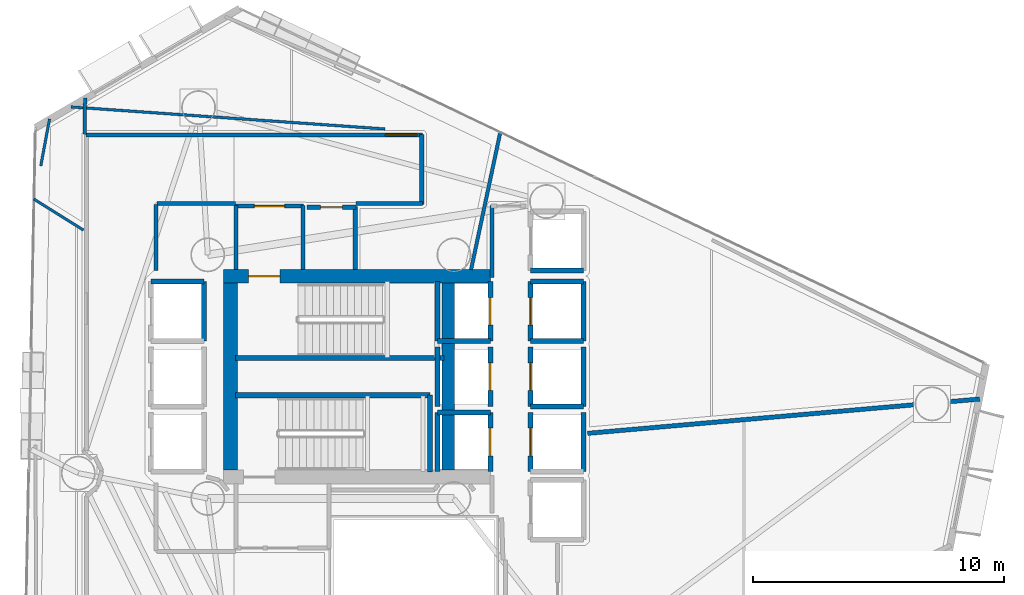
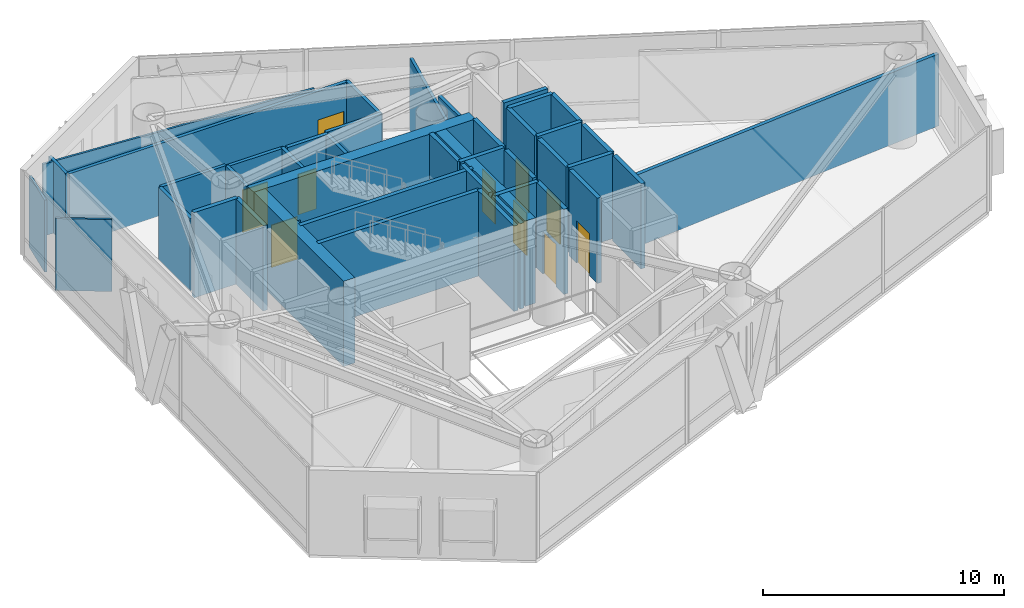
# One storey, part 17 of 21: 43 walls, 10 doors, 10 openings.
"""IFC4 building model written with IfcOpenShell, lengths in metres."""

from ifc_helpers import new_model, si_unit, direction, frame, frame_2d, origin, place, context, subcontext, project, spatial, rectangle, extrude, material, layer, layer_set, type_object, element, fill, save


model = new_model("IFC4")

# Units and contexts
model_context = context("Model", 3, precision=1e-05, world=origin(), true_north=direction((0.0, 1.0)))
body_context = subcontext(model_context, "Body", "Model", "MODEL_VIEW")
ifc_project = project(units=[si_unit("LENGTHUNIT", "METRE"), si_unit("AREAUNIT", "SQUARE_METRE"), si_unit("VOLUMEUNIT", "CUBIC_METRE"), si_unit("PLANEANGLEUNIT", "RADIAN"), si_unit("MASSUNIT", "GRAM", prefix="KILO")], contexts=[model_context])

# Site, building, storey
site_placement = place(None, origin())
site = spatial("IfcSite", under=ifc_project, at=site_placement, CompositionType="ELEMENT")
building_placement = place(site_placement, origin())
building = spatial("IfcBuilding", under=site, at=building_placement, Name="Qianvela Tower", CompositionType="ELEMENT")
storey_placement = place(building_placement, frame((0.0, 0.0, 143.10009765625)))
storey = spatial("IfcBuildingStorey", under=building, at=storey_placement, Name="L36", CompositionType="ELEMENT", Elevation=143.10009765625)

# Wall, opening, door
ifc_material_1 = material(Name="Concrete C60", Category="concrete")
ifc_layer_1 = layer(ifc_material_1, 0.550048828125)
ifc_layer_set_1 = layer_set([ifc_layer_1], Name="Concrete C60")
wall_type_1 = type_object("IfcWallType", Name="WT-CORE-550", PredefinedType="SHEAR", material=ifc_layer_set_1)
wall_1_placement = place(storey_placement, frame((29.22998046875, 32.695068359375, 0.0), z_axis=(0.0, 0.0, 1.0), x_axis=(1.0, 0.0, 0.0)))
wall_1 = element("IfcWall", 1, at=wall_1_placement, inside=storey, type_object=wall_type_1, Name="L36 North Core Shear Wall", PredefinedType="SHEAR", context=body_context, shape_type="SweptSolid", body=[
    extrude(rectangle(XDim=10.6201171875, YDim=0.550048828125, at=frame_2d((5.31005859375, 0.0))), origin(), (0.0, 0.0, 1.0), 4.31982421875),
])
opening_1_placement = place(wall_1_placement, frame((0.9951171875, 0.0, 0.0)))
opening_1 = element("IfcOpeningElement", 2, at=opening_1_placement, cuts=wall_1, Name="Opening D-ST1", PredefinedType="OPENING", context=body_context, shape_type="SweptSolid", body=[
    extrude(rectangle(XDim=1.25, YDim=2.14990234375, at=frame_2d((0.625, 1.074951171875))), frame((0.0, 0.284912109375, 0.0), z_axis=(0.0, -1.0, 0.0), x_axis=(1.0, 0.0, 0.0)), (0.0, 0.0, 1.0), 0.570068359375),
])
ifc_material_2 = material(Name="Galvanised Fire Steel Q355B", Category="steel")
door_type_1 = type_object("IfcDoorType", Name="DT-STAIR-FD90", OperationType="NOTDEFINED", PredefinedType="DOOR", material=ifc_material_2)
door_1_placement = place(opening_1_placement, origin())
door_1 = element("IfcDoor", 3, at=door_1_placement, inside=storey, type_object=door_type_1, Name="L36 Stair ST-1 Exit Door", OperationType="SINGLE_SWING_RIGHT", OverallHeight=2.14990234375, OverallWidth=1.25, PredefinedType="DOOR", context=body_context, shape_type="SweptSolid", body=[
    extrude(rectangle(XDim=1.25, YDim=2.14990234375, at=frame_2d((0.625, 1.074951171875))), frame((0.0, 0.02490234375, 0.0), z_axis=(0.0, -1.0, 0.0), x_axis=(1.0, 0.0, 0.0)), (0.0, 0.0, 1.0), 0.050048828125),
])
fill(opening_1, door_1)

# Walls
wall_2_placement = place(storey_placement, frame((29.5048828125, 24.97998046875, 0.0), z_axis=(0.0, 0.0, 1.0), x_axis=(0.0, 1.0, 0.0)))
element("IfcWall", 4, at=wall_2_placement, inside=storey, type_object=wall_type_1, Name="L36 West Core Shear Wall", PredefinedType="SHEAR", context=body_context, shape_type="SweptSolid", body=[
    extrude(rectangle(XDim=7.43994140625, YDim=0.550048828125, at=frame_2d((3.719970703125, 0.0))), origin(), (0.0, 0.0, 1.0), 4.31982421875),
])
wall_3_placement = place(storey_placement, frame((38.179931640625, 24.97998046875, 0.0), z_axis=(0.0, 0.0, 1.0), x_axis=(0.0, 1.0, 0.0)))
element("IfcWall", 5, at=wall_3_placement, inside=storey, type_object=wall_type_1, Name="L36 East Spine Core Shear Wall", PredefinedType="SHEAR", context=body_context, shape_type="SweptSolid", body=[
    extrude(rectangle(XDim=7.43994140625, YDim=0.5, at=frame_2d((3.719970703125, 0.0))), origin(), (0.0, 0.0, 1.0), 4.31982421875),
])
ifc_material_3 = material(Name="Fire-Rated Gypsum and Concrete Block", Category="concrete")
ifc_layer_2 = layer(ifc_material_3, 0.159912109375)
ifc_layer_set_2 = layer_set([ifc_layer_2], Name="Fire-Rated Gypsum and Concrete Block")
wall_type_2 = type_object("IfcWallType", Name="WT-CORR-160", PredefinedType="PARTITIONING", material=ifc_layer_set_2)
wall_4_placement = place(storey_placement, frame((29.73095703125, 32.9580078125, 0.0), z_axis=(0.0, 0.0, 1.0), x_axis=(0.0, 1.0, 0.0)))
element("IfcWall", 6, at=wall_4_placement, inside=storey, type_object=wall_type_2, Name="L36 Partition 2", PredefinedType="PARTITIONING", context=body_context, shape_type="SweptSolid", body=[
    extrude(rectangle(XDim=2.56201171875, YDim=0.159912109375, at=frame_2d((1.281005859375, 0.0))), origin(), (0.0, 0.0, 1.0), 3.639892578125),
])

# Wall, opening, door
wall_5_placement = place(storey_placement, frame((29.699951171875, 35.489013671875, 0.0), z_axis=(0.0, 0.0, 1.0), x_axis=(1.0, 0.0, 0.0)))
wall_5 = element("IfcWall", 7, at=wall_5_placement, inside=storey, type_object=wall_type_2, Name="L36 Partition 3", PredefinedType="PARTITIONING", context=body_context, shape_type="SweptSolid", body=[
    extrude(rectangle(XDim=2.719970703125, YDim=0.159912109375, at=frame_2d((1.35986328125, 0.0))), origin(), (0.0, 0.0, 1.0), 3.639892578125),
])
opening_2_placement = place(wall_5_placement, frame((0.760009765625, 0.0, 0.0)))
opening_2 = element("IfcOpeningElement", 8, at=opening_2_placement, cuts=wall_5, Name="Opening D-LB1", PredefinedType="OPENING", context=body_context, shape_type="SweptSolid", body=[
    extrude(rectangle(XDim=1.199951171875, YDim=2.14990234375, at=frame_2d((0.60009765625, 1.074951171875))), frame((0.0, 0.08984375, 0.0), z_axis=(0.0, -1.0, 0.0), x_axis=(1.0, 0.0, 0.0)), (0.0, 0.0, 1.0), 0.179931640625),
])
ifc_material_4 = material(Name="Glazed Fire-Rated Steel Frame", Category="steel")
door_type_2 = type_object("IfcDoorType", Name="DT-LOBBY-FD90", OperationType="NOTDEFINED", PredefinedType="DOOR", material=ifc_material_4)
door_2_placement = place(opening_2_placement, origin())
door_2 = element("IfcDoor", 9, at=door_2_placement, inside=storey, type_object=door_type_2, Name="L36 Door L36 Firefighting Lobby North to L36 Sky Lobby Gallery Corridor", OperationType="SINGLE_SWING_RIGHT", OverallHeight=2.14990234375, OverallWidth=1.199951171875, PredefinedType="DOOR", context=body_context, shape_type="SweptSolid", body=[
    extrude(rectangle(XDim=1.199951171875, YDim=2.14990234375, at=frame_2d((0.60009765625, 1.074951171875))), frame((0.0, 0.02490234375, 0.0), z_axis=(0.0, -1.0, 0.0), x_axis=(1.0, 0.0, 0.0)), (0.0, 0.0, 1.0), 0.050048828125),
])
fill(opening_2, door_2)

# Walls
wall_6_placement = place(storey_placement, frame((32.388916015625, 35.52001953125, 0.0), z_axis=(0.0, 0.0, 1.0), x_axis=(0.0, -1.0, 0.0)))
element("IfcWall", 10, at=wall_6_placement, inside=storey, type_object=wall_type_2, Name="L36 Partition 4", PredefinedType="PARTITIONING", context=body_context, shape_type="SweptSolid", body=[
    extrude(rectangle(XDim=2.56201171875, YDim=0.159912109375, at=frame_2d((1.281005859375, 0.0))), origin(), (0.0, 0.0, 1.0), 3.639892578125),
])
wall_7_placement = place(storey_placement, frame((39.910888671875, 32.639892578125, 0.0), z_axis=(0.0, 0.0, 1.0), x_axis=(0.0, 1.0, 0.0)))
element("IfcWall", 11, at=wall_7_placement, inside=storey, type_object=wall_type_2, Name="L36 Partition 12", PredefinedType="PARTITIONING", context=body_context, shape_type="SweptSolid", body=[
    extrude(rectangle(XDim=2.880126953125, YDim=0.159912109375, at=frame_2d((1.43994140625, 0.0))), origin(), (0.0, 0.0, 1.0), 3.639892578125),
])

# Wall, opening, door
wall_8_placement = place(storey_placement, frame((23.75, 38.319091796875, 0.0), z_axis=(0.0, 0.0, 1.0), x_axis=(1.0, 0.0, 0.0)))
wall_8 = element("IfcWall", 12, at=wall_8_placement, inside=storey, type_object=wall_type_2, Name="L36 Partition 41", PredefinedType="PARTITIONING", context=body_context, shape_type="SweptSolid", body=[
    extrude(rectangle(XDim=13.39990234375, YDim=0.159912109375, at=frame_2d((6.699951171875, 0.0))), origin(), (0.0, 0.0, 1.0), 3.639892578125),
])
opening_3_placement = place(wall_8_placement, frame((11.919921875, 0.0, 0.0)))
opening_3 = element("IfcOpeningElement", 13, at=opening_3_placement, cuts=wall_8, Name="Opening D-LG1", PredefinedType="OPENING", context=body_context, shape_type="SweptSolid", body=[
    extrude(rectangle(XDim=1.25, YDim=2.199951171875, at=frame_2d((0.625, 1.10009765625))), frame((0.0, 0.08984375, 0.0), z_axis=(0.0, -1.0, 0.0), x_axis=(1.0, 0.0, 0.0)), (0.0, 0.0, 1.0), 0.179931640625),
])
ifc_material_5 = material(Name="Anodised Aluminium Acoustic Glass Door", Category="aluminium")
door_type_3 = type_object("IfcDoorType", Name="DT-LOUNGE-1250", OperationType="NOTDEFINED", PredefinedType="DOOR", material=ifc_material_5)
door_3_placement = place(opening_3_placement, origin())
door_3 = element("IfcDoor", 14, at=door_3_placement, inside=storey, type_object=door_type_3, Name="L36 Door L36 Social Reading Lounge to L36 Sky Lobby Gallery Corridor", OperationType="SINGLE_SWING_LEFT", OverallHeight=2.199951171875, OverallWidth=1.25, PredefinedType="DOOR", context=body_context, shape_type="SweptSolid", body=[
    extrude(rectangle(XDim=1.25, YDim=2.199951171875, at=frame_2d((0.625, 1.10009765625))), frame((0.0, 0.02490234375, 0.0), z_axis=(0.0, -1.0, 0.0), x_axis=(1.0, 0.0, 0.0)), (0.0, 0.0, 1.0), 0.050048828125),
])
fill(opening_3, door_3)

# Walls
wall_9_placement = place(storey_placement, frame((37.118896484375, 38.35009765625, 0.0), z_axis=(0.0, 0.0, 1.0), x_axis=(0.0, -1.0, 0.0)))
element("IfcWall", 15, at=wall_9_placement, inside=storey, type_object=wall_type_2, Name="L36 Partition 42", PredefinedType="PARTITIONING", context=body_context, shape_type="SweptSolid", body=[
    extrude(rectangle(XDim=2.7900390625, YDim=0.159912109375, at=frame_2d((1.39501953125, 0.0))), origin(), (0.0, 0.0, 1.0), 3.639892578125),
])
wall_10_placement = place(storey_placement, frame((37.14990234375, 35.591064453125, 0.0), z_axis=(0.0, 0.0, 1.0), x_axis=(-1.0, 0.0, 0.0)))
element("IfcWall", 16, at=wall_10_placement, inside=storey, type_object=wall_type_2, Name="L36 Partition 43 seg 1", PredefinedType="PARTITIONING", context=body_context, shape_type="SweptSolid", body=[
    extrude(rectangle(XDim=2.64990234375, YDim=0.159912109375, at=frame_2d((1.324951171875, 0.0))), origin(), (0.0, 0.0, 1.0), 3.639892578125),
])
wall_11_placement = place(storey_placement, frame((29.699951171875, 35.591064453125, 0.0), z_axis=(0.0, 0.0, 1.0), x_axis=(-1.0, 0.0, 0.0)))
element("IfcWall", 17, at=wall_11_placement, inside=storey, type_object=wall_type_2, Name="L36 Partition 43 seg 3", PredefinedType="PARTITIONING", context=body_context, shape_type="SweptSolid", body=[
    extrude(rectangle(XDim=3.119873046875, YDim=0.159912109375, at=frame_2d((1.56005859375, 0.0))), origin(), (0.0, 0.0, 1.0), 3.639892578125),
])
wall_12_placement = place(storey_placement, frame((26.549072265625, 35.56005859375, 0.0), z_axis=(0.0, 0.0, 1.0), x_axis=(0.0, -1.0, 0.0)))
element("IfcWall", 18, at=wall_12_placement, inside=storey, type_object=wall_type_2, Name="L36 Partition 44", PredefinedType="PARTITIONING", context=body_context, shape_type="SweptSolid", body=[
    extrude(rectangle(XDim=2.6357421875, YDim=0.159912109375, at=frame_2d((1.31787109375, 0.0))), origin(), (0.0, 0.0, 1.0), 3.639892578125),
])
ifc_material_6 = material(Name="Lightweight Gypsum Room Partition")
ifc_layer_3 = layer(ifc_material_6, 0.10498046875)
ifc_layer_set_3 = layer_set([ifc_layer_3], Name="Lightweight Gypsum Room Partition")
wall_type_3 = type_object("IfcWallType", Name="WT-PART-105", PredefinedType="PARTITIONING", material=ifc_layer_set_3)
wall_13_placement = place(storey_placement, frame((21.67041015625, 35.772216796875, 0.0), z_axis=(0.0, 0.0, 1.0), x_axis=(0.848086274525, -0.529858161174, 0.0)))
element("IfcWall", 19, at=wall_13_placement, inside=storey, type_object=wall_type_3, Name="L36 Partition 67", PredefinedType="PARTITIONING", context=body_context, shape_type="SweptSolid", body=[
    extrude(rectangle(XDim=2.33837890625, YDim=0.10498046875, at=frame_2d((1.169189453125, 0.0))), origin(), (0.0, 0.0, 1.0), 3.639892578125),
])
wall_14_placement = place(storey_placement, frame((35.659912109375, 38.55908203125, 0.0), z_axis=(0.0, 0.0, 1.0), x_axis=(-0.997539311486, 0.070109357724, 0.0)))
element("IfcWall", 20, at=wall_14_placement, inside=storey, type_object=wall_type_3, Name="L36 Partition 97 seg 2", PredefinedType="PARTITIONING", context=body_context, shape_type="SweptSolid", body=[
    extrude(rectangle(XDim=12.5361328125, YDim=0.10498046875, at=frame_2d((6.26806640625, 0.0))), origin(), (0.0, 0.0, 1.0), 3.639892578125),
])
wall_15_placement = place(storey_placement, frame((21.95361328125, 37.091796875, 0.0), z_axis=(0.0, 0.0, 1.0), x_axis=(0.182853037129, 0.983140257956, 0.0)))
element("IfcWall", 21, at=wall_15_placement, inside=storey, type_object=wall_type_3, Name="L36 Partition 100 seg 1", PredefinedType="PARTITIONING", context=body_context, shape_type="SweptSolid", body=[
    extrude(rectangle(XDim=1.89990234375, YDim=0.10498046875, at=frame_2d((0.949951171875, 0.0))), origin(), (0.0, 0.0, 1.0), 3.639892578125),
])

# Wall, opening, door
ifc_material_7 = material(Name="Moisture-Resistant Acoustic Plumbing Wall")
ifc_layer_4 = layer(ifc_material_7, 0.175048828125)
ifc_layer_set_4 = layer_set([ifc_layer_4], Name="Moisture-Resistant Acoustic Plumbing Wall")
wall_type_4 = type_object("IfcWallType", Name="WT-PLUMB-175", PredefinedType="PLUMBINGWALL", material=ifc_layer_set_4)
wall_16_placement = place(storey_placement, frame((32.550048828125, 35.448974609375, 0.0), z_axis=(0.0, 0.0, 1.0), x_axis=(1.0, 0.0, 0.0)))
wall_16 = element("IfcWall", 22, at=wall_16_placement, inside=storey, type_object=wall_type_4, Name="L36 Partition 22", PredefinedType="PLUMBINGWALL", context=body_context, shape_type="SweptSolid", body=[
    extrude(rectangle(XDim=1.949951171875, YDim=0.175048828125, at=frame_2d((0.97509765625, 0.0))), origin(), (0.0, 0.0, 1.0), 3.639892578125),
])
opening_4_placement = place(wall_16_placement, frame((0.544921875, 0.0, 0.0)))
opening_4 = element("IfcOpeningElement", 23, at=opening_4_placement, cuts=wall_16, Name="Opening D-WC1", PredefinedType="OPENING", context=body_context, shape_type="SweptSolid", body=[
    extrude(rectangle(XDim=0.860107421875, YDim=2.050048828125, at=frame_2d((0.43017578125, 1.02490234375))), frame((0.0, 0.097412109375, 0.0), z_axis=(0.0, -1.0, 0.0), x_axis=(1.0, 0.0, 0.0)), (0.0, 0.0, 1.0), 0.195068359375),
])
ifc_material_8 = material(Name="Moisture-Sealed Acoustic Timber Door", Category="wood")
door_type_4 = type_object("IfcDoorType", Name="DT-WC-860", OperationType="NOTDEFINED", PredefinedType="DOOR", material=ifc_material_8)
door_4_placement = place(opening_4_placement, origin())
door_4 = element("IfcDoor", 24, at=door_4_placement, inside=storey, type_object=door_type_4, Name="L36 Door L36 Accessible WC to L36 Sky Lobby Gallery Corridor", OperationType="SINGLE_SWING_LEFT", OverallHeight=2.050048828125, OverallWidth=0.860107421875, PredefinedType="DOOR", context=body_context, shape_type="SweptSolid", body=[
    extrude(rectangle(XDim=0.860107421875, YDim=2.050048828125, at=frame_2d((0.43017578125, 1.02490234375))), frame((0.0, 0.02490234375, 0.0), z_axis=(0.0, -1.0, 0.0), x_axis=(1.0, 0.0, 0.0)), (0.0, 0.0, 1.0), 0.050048828125),
])
fill(opening_4, door_4)

# Walls
wall_17_placement = place(storey_placement, frame((34.468994140625, 35.47998046875, 0.0), z_axis=(0.0, 0.0, 1.0), x_axis=(0.0, -1.0, 0.0)))
element("IfcWall", 25, at=wall_17_placement, inside=storey, type_object=wall_type_4, Name="L36 Partition 23", PredefinedType="PLUMBINGWALL", context=body_context, shape_type="SweptSolid", body=[
    extrude(rectangle(XDim=2.52197265625, YDim=0.175048828125, at=frame_2d((1.260986328125, 0.0))), origin(), (0.0, 0.0, 1.0), 3.639892578125),
])
wall_18_placement = place(storey_placement, frame((43.72265625, 26.443115234375, 0.0), z_axis=(0.0, 0.0, 1.0), x_axis=(0.996195256439, 0.087149360569, 0.0)))
element("IfcWall", 26, at=wall_18_placement, inside=storey, type_object=wall_type_4, Name="L36 Partition 79", PredefinedType="PLUMBINGWALL", context=body_context, shape_type="SweptSolid", body=[
    extrude(rectangle(XDim=15.668212890625, YDim=0.175048828125, at=frame_2d((7.833984375, 0.0))), origin(), (0.0, 0.0, 1.0), 3.639892578125),
])
ifc_material_9 = material(Name="Acoustic Double Gypsum Stud Partition")
ifc_layer_5 = layer(ifc_material_9, 0.139892578125)
ifc_layer_set_5 = layer_set([ifc_layer_5], Name="Acoustic Double Gypsum Stud Partition")
wall_type_5 = type_object("IfcWallType", Name="WT-ROOM-140", PredefinedType="PARTITIONING", material=ifc_layer_set_5)
wall_19_placement = place(storey_placement, frame((39.082275390625, 32.9580078125, 0.0), z_axis=(0.0, 0.0, 1.0), x_axis=(0.207932173696, 0.978143246739, 0.0)))
element("IfcWall", 27, at=wall_19_placement, inside=storey, type_object=wall_type_5, Name="L36 Partition 89", PredefinedType="PARTITIONING", context=body_context, shape_type="SweptSolid", body=[
    extrude(rectangle(XDim=5.607666015625, YDim=0.139892578125, at=frame_2d((2.8037109375, 0.0))), origin(), (0.0, 0.0, 1.0), 3.639892578125),
])
wall_20_placement = place(storey_placement, frame((23.716552734375, 39.785888671875, 0.0), z_axis=(0.0, 0.0, 1.0), x_axis=(-0.0153017281, -0.999882921705, 0.0)))
element("IfcWall", 28, at=wall_20_placement, inside=storey, type_object=wall_type_5, Name="L36 Partition 98 seg 1", PredefinedType="PARTITIONING", context=body_context, shape_type="SweptSolid", body=[
    extrude(rectangle(XDim=1.43603515625, YDim=0.139892578125, at=frame_2d((0.718017578125, 0.0))), origin(), (0.0, 0.0, 1.0), 3.639892578125),
])
ifc_material_10 = material(Name="Concrete C50", Category="concrete")
ifc_layer_6 = layer(ifc_material_10, 0.199951171875)
ifc_layer_set_6 = layer_set([ifc_layer_6], Name="Concrete C50")
wall_type_6 = type_object("IfcWallType", Name="WT-SHAFT-200", PredefinedType="SOLIDWALL", material=ifc_layer_set_6)
wall_21_placement = place(storey_placement, frame((29.699951171875, 29.449951171875, 0.0), z_axis=(0.0, 0.0, 1.0), x_axis=(1.0, 0.0, 0.0)))
element("IfcWall", 29, at=wall_21_placement, inside=storey, type_object=wall_type_6, Name="L36 Stair ST-1 South Wall", PredefinedType="SOLIDWALL", context=body_context, shape_type="SweptSolid", body=[
    extrude(rectangle(XDim=8.300048828125, YDim=0.199951171875, at=frame_2d((4.14990234375, 0.0))), origin(), (0.0, 0.0, 1.0), 4.31982421875),
])
wall_22_placement = place(storey_placement, frame((29.699951171875, 27.9599609375, 0.0), z_axis=(0.0, 0.0, 1.0), x_axis=(1.0, 0.0, 0.0)))
element("IfcWall", 30, at=wall_22_placement, inside=storey, type_object=wall_type_6, Name="L36 Stair ST-2 North Wall", PredefinedType="SOLIDWALL", context=body_context, shape_type="SweptSolid", body=[
    extrude(rectangle(XDim=7.75, YDim=0.199951171875, at=frame_2d((3.875, 0.0))), origin(), (0.0, 0.0, 1.0), 4.31982421875),
])
wall_23_placement = place(storey_placement, frame((37.449951171875, 24.89990234375, 0.0), z_axis=(0.0, 0.0, 1.0), x_axis=(0.0, 1.0, 0.0)))
element("IfcWall", 31, at=wall_23_placement, inside=storey, type_object=wall_type_6, Name="L36 Stair ST-2 East Wall", PredefinedType="SOLIDWALL", context=body_context, shape_type="SweptSolid", body=[
    extrude(rectangle(XDim=3.06005859375, YDim=0.199951171875, at=frame_2d((1.530029296875, 0.0))), origin(), (0.0, 0.0, 1.0), 4.31982421875),
])

# Wall, opening, door
wall_24_placement = place(storey_placement, frame((39.85009765625, 30.1201171875, 0.0), z_axis=(0.0, 0.0, 1.0), x_axis=(0.0, 1.0, 0.0)))
wall_24 = element("IfcWall", 32, at=wall_24_placement, inside=storey, type_object=wall_type_6, Name="L36 Lift FL-1 E Shaft Wall", PredefinedType="SOLIDWALL", context=body_context, shape_type="SweptSolid", body=[
    extrude(rectangle(XDim=2.35986328125, YDim=0.199951171875, at=frame_2d((1.179931640625, 0.0))), origin(), (0.0, 0.0, 1.0), 4.31982421875),
])
opening_5_placement = place(wall_24_placement, frame((0.6298828125, 0.0, 0.0)))
opening_5 = element("IfcOpeningElement", 33, at=opening_5_placement, cuts=wall_24, Name="Opening LD-01", PredefinedType="OPENING", context=body_context, shape_type="SweptSolid", body=[
    extrude(rectangle(XDim=1.10009765625, YDim=2.14990234375, at=frame_2d((0.550048828125, 1.074951171875))), frame((0.0, 0.10986328125, 0.0), z_axis=(0.0, -1.0, 0.0), x_axis=(1.0, 0.0, 0.0)), (0.0, 0.0, 1.0), 0.219970703125),
])
ifc_material_11 = material(Name="Brushed Stainless Steel Lift Landing Door", Category="steel")
door_type_5 = type_object("IfcDoorType", Name="DT-LIFT-SLIDE-1100", OperationType="SLIDING_TO_LEFT", PredefinedType="DOOR", material=ifc_material_11)
door_5_placement = place(opening_5_placement, origin())
door_5 = element("IfcDoor", 34, at=door_5_placement, inside=storey, type_object=door_type_5, Name="L36 Lift FL-1 Sliding Landing Door", OperationType="SLIDING_TO_LEFT", OverallHeight=2.14990234375, OverallWidth=1.10009765625, PredefinedType="DOOR", context=body_context, shape_type="SweptSolid", body=[
    extrude(rectangle(XDim=1.10009765625, YDim=2.14990234375, at=frame_2d((0.550048828125, 1.074951171875))), frame((0.0, 0.02490234375, 0.0), z_axis=(0.0, -1.0, 0.0), x_axis=(1.0, 0.0, 0.0)), (0.0, 0.0, 1.0), 0.050048828125),
])
fill(opening_5, door_5)

# Walls
wall_25_placement = place(storey_placement, frame((37.75, 30.1201171875, 0.0), z_axis=(0.0, 0.0, 1.0), x_axis=(0.0, 1.0, 0.0)))
element("IfcWall", 35, at=wall_25_placement, inside=storey, type_object=wall_type_6, Name="L36 Lift FL-1 W Shaft Wall", PredefinedType="SOLIDWALL", context=body_context, shape_type="SweptSolid", body=[
    extrude(rectangle(XDim=2.35986328125, YDim=0.199951171875, at=frame_2d((1.179931640625, 0.0))), origin(), (0.0, 0.0, 1.0), 4.31982421875),
])
wall_26_placement = place(storey_placement, frame((37.75, 30.1201171875, 0.0), z_axis=(0.0, 0.0, 1.0), x_axis=(1.0, 0.0, 0.0)))
element("IfcWall", 36, at=wall_26_placement, inside=storey, type_object=wall_type_6, Name="L36 Lift FL-1 S Shaft Wall", PredefinedType="SOLIDWALL", context=body_context, shape_type="SweptSolid", body=[
    extrude(rectangle(XDim=2.10009765625, YDim=0.199951171875, at=frame_2d((1.050048828125, 0.0))), origin(), (0.0, 0.0, 1.0), 4.31982421875),
])

# Wall, opening, door
wall_27_placement = place(storey_placement, frame((39.85009765625, 24.919921875, 0.0), z_axis=(0.0, 0.0, 1.0), x_axis=(0.0, 1.0, 0.0)))
wall_27 = element("IfcWall", 37, at=wall_27_placement, inside=storey, type_object=wall_type_6, Name="L36 Lift FL-2 E Shaft Wall", PredefinedType="SOLIDWALL", context=body_context, shape_type="SweptSolid", body=[
    extrude(rectangle(XDim=2.360107421875, YDim=0.199951171875, at=frame_2d((1.18017578125, 0.0))), origin(), (0.0, 0.0, 1.0), 4.31982421875),
])
opening_6_placement = place(wall_27_placement, frame((0.6298828125, 0.0, 0.0)))
opening_6 = element("IfcOpeningElement", 38, at=opening_6_placement, cuts=wall_27, Name="Opening LD-01", PredefinedType="OPENING", context=body_context, shape_type="SweptSolid", body=[
    extrude(rectangle(XDim=1.10009765625, YDim=2.14990234375, at=frame_2d((0.550048828125, 1.074951171875))), frame((0.0, 0.10986328125, 0.0), z_axis=(0.0, -1.0, 0.0), x_axis=(1.0, 0.0, 0.0)), (0.0, 0.0, 1.0), 0.219970703125),
])
door_6_placement = place(opening_6_placement, origin())
door_6 = element("IfcDoor", 39, at=door_6_placement, inside=storey, type_object=door_type_5, Name="L36 Lift FL-2 Sliding Landing Door", OperationType="SLIDING_TO_LEFT", OverallHeight=2.14990234375, OverallWidth=1.10009765625, PredefinedType="DOOR", context=body_context, shape_type="SweptSolid", body=[
    extrude(rectangle(XDim=1.10009765625, YDim=2.14990234375, at=frame_2d((0.550048828125, 1.074951171875))), frame((0.0, 0.02490234375, 0.0), z_axis=(0.0, -1.0, 0.0), x_axis=(1.0, 0.0, 0.0)), (0.0, 0.0, 1.0), 0.050048828125),
])
fill(opening_6, door_6)

# Walls
wall_28_placement = place(storey_placement, frame((37.75, 24.919921875, 0.0), z_axis=(0.0, 0.0, 1.0), x_axis=(0.0, 1.0, 0.0)))
element("IfcWall", 40, at=wall_28_placement, inside=storey, type_object=wall_type_6, Name="L36 Lift FL-2 W Shaft Wall", PredefinedType="SOLIDWALL", context=body_context, shape_type="SweptSolid", body=[
    extrude(rectangle(XDim=2.360107421875, YDim=0.199951171875, at=frame_2d((1.18017578125, 0.0))), origin(), (0.0, 0.0, 1.0), 4.31982421875),
])
wall_29_placement = place(storey_placement, frame((37.75, 27.280029296875, 0.0), z_axis=(0.0, 0.0, 1.0), x_axis=(1.0, 0.0, 0.0)))
element("IfcWall", 41, at=wall_29_placement, inside=storey, type_object=wall_type_6, Name="L36 Lift FL-2 N Shaft Wall", PredefinedType="SOLIDWALL", context=body_context, shape_type="SweptSolid", body=[
    extrude(rectangle(XDim=2.10009765625, YDim=0.199951171875, at=frame_2d((1.050048828125, 0.0))), origin(), (0.0, 0.0, 1.0), 4.31982421875),
])
wall_30_placement = place(storey_placement, frame((28.449951171875, 30.1201171875, 0.0), z_axis=(0.0, 0.0, 1.0), x_axis=(0.0, 1.0, 0.0)))
element("IfcWall", 42, at=wall_30_placement, inside=storey, type_object=wall_type_6, Name="L36 Lift PL-L1 E Shaft Wall", PredefinedType="SOLIDWALL", context=body_context, shape_type="SweptSolid", body=[
    extrude(rectangle(XDim=2.35986328125, YDim=0.199951171875, at=frame_2d((1.179931640625, 0.0))), origin(), (0.0, 0.0, 1.0), 4.31982421875),
])
wall_31_placement = place(storey_placement, frame((26.35009765625, 32.47998046875, 0.0), z_axis=(0.0, 0.0, 1.0), x_axis=(1.0, 0.0, 0.0)))
element("IfcWall", 43, at=wall_31_placement, inside=storey, type_object=wall_type_6, Name="L36 Lift PL-L1 N Shaft Wall", PredefinedType="SOLIDWALL", context=body_context, shape_type="SweptSolid", body=[
    extrude(rectangle(XDim=2.099853515625, YDim=0.199951171875, at=frame_2d((1.0498046875, 0.0))), origin(), (0.0, 0.0, 1.0), 4.31982421875),
])
wall_32_placement = place(storey_placement, frame((43.550048828125, 30.1201171875, 0.0), z_axis=(0.0, 0.0, 1.0), x_axis=(0.0, 1.0, 0.0)))
element("IfcWall", 44, at=wall_32_placement, inside=storey, type_object=wall_type_6, Name="L36 Lift PL-M1 E Shaft Wall", PredefinedType="SOLIDWALL", context=body_context, shape_type="SweptSolid", body=[
    extrude(rectangle(XDim=2.35986328125, YDim=0.199951171875, at=frame_2d((1.179931640625, 0.0))), origin(), (0.0, 0.0, 1.0), 4.31982421875),
])

# Wall, opening, door
wall_33_placement = place(storey_placement, frame((41.449951171875, 30.1201171875, 0.0), z_axis=(0.0, 0.0, 1.0), x_axis=(0.0, 1.0, 0.0)))
wall_33 = element("IfcWall", 45, at=wall_33_placement, inside=storey, type_object=wall_type_6, Name="L36 Lift PL-M1 W Shaft Wall", PredefinedType="SOLIDWALL", context=body_context, shape_type="SweptSolid", body=[
    extrude(rectangle(XDim=2.35986328125, YDim=0.199951171875, at=frame_2d((1.179931640625, 0.0))), origin(), (0.0, 0.0, 1.0), 4.31982421875),
])
opening_7_placement = place(wall_33_placement, frame((0.6298828125, 0.0, 0.0)))
opening_7 = element("IfcOpeningElement", 46, at=opening_7_placement, cuts=wall_33, Name="Opening LD-01", PredefinedType="OPENING", context=body_context, shape_type="SweptSolid", body=[
    extrude(rectangle(XDim=1.10009765625, YDim=2.14990234375, at=frame_2d((0.550048828125, 1.074951171875))), frame((0.0, 0.10986328125, 0.0), z_axis=(0.0, -1.0, 0.0), x_axis=(1.0, 0.0, 0.0)), (0.0, 0.0, 1.0), 0.219970703125),
])
door_7_placement = place(opening_7_placement, origin())
door_7 = element("IfcDoor", 47, at=door_7_placement, inside=storey, type_object=door_type_5, Name="L36 Lift PL-M1 Sliding Landing Door", OperationType="SLIDING_TO_LEFT", OverallHeight=2.14990234375, OverallWidth=1.10009765625, PredefinedType="DOOR", context=body_context, shape_type="SweptSolid", body=[
    extrude(rectangle(XDim=1.10009765625, YDim=2.14990234375, at=frame_2d((0.550048828125, 1.074951171875))), frame((0.0, 0.02490234375, 0.0), z_axis=(0.0, -1.0, 0.0), x_axis=(1.0, 0.0, 0.0)), (0.0, 0.0, 1.0), 0.050048828125),
])
fill(opening_7, door_7)

# Walls
for number, where, z_axis, x_axis, name in (
    (48, (41.449951171875, 32.47998046875, 0.0), (0.0, 0.0, 1.0), (1.0, 0.0, 0.0), "L36 Lift PL-M1 N Shaft Wall"),
    (49, (41.449951171875, 30.1201171875, 0.0), (0.0, 0.0, 1.0), (1.0, 0.0, 0.0), "L36 Lift PL-M1 S Shaft Wall"),
):
    element("IfcWall", number, at=place(storey_placement, frame(where, z_axis=z_axis, x_axis=x_axis)), inside=storey, type_object=wall_type_6, Name=name, PredefinedType="SOLIDWALL", context=body_context, shape_type="SweptSolid", body=[
        extrude(rectangle(XDim=2.10009765625, YDim=0.199951171875, at=frame_2d((1.050048828125, 0.0))), origin(), (0.0, 0.0, 1.0), 4.31982421875),
    ])
wall_34_placement = place(storey_placement, frame((43.550048828125, 27.52001953125, 0.0), z_axis=(0.0, 0.0, 1.0), x_axis=(0.0, 1.0, 0.0)))
element("IfcWall", 50, at=wall_34_placement, inside=storey, type_object=wall_type_6, Name="L36 Lift PL-M2 E Shaft Wall", PredefinedType="SOLIDWALL", context=body_context, shape_type="SweptSolid", body=[
    extrude(rectangle(XDim=2.35986328125, YDim=0.199951171875, at=frame_2d((1.179931640625, 0.0))), origin(), (0.0, 0.0, 1.0), 4.31982421875),
])

# Wall, opening, door
wall_35_placement = place(storey_placement, frame((41.449951171875, 27.52001953125, 0.0), z_axis=(0.0, 0.0, 1.0), x_axis=(0.0, 1.0, 0.0)))
wall_35 = element("IfcWall", 51, at=wall_35_placement, inside=storey, type_object=wall_type_6, Name="L36 Lift PL-M2 W Shaft Wall", PredefinedType="SOLIDWALL", context=body_context, shape_type="SweptSolid", body=[
    extrude(rectangle(XDim=2.35986328125, YDim=0.199951171875, at=frame_2d((1.179931640625, 0.0))), origin(), (0.0, 0.0, 1.0), 4.31982421875),
])
opening_8_placement = place(wall_35_placement, frame((0.6298828125, 0.0, 0.0)))
opening_8 = element("IfcOpeningElement", 52, at=opening_8_placement, cuts=wall_35, Name="Opening LD-01", PredefinedType="OPENING", context=body_context, shape_type="SweptSolid", body=[
    extrude(rectangle(XDim=1.10009765625, YDim=2.14990234375, at=frame_2d((0.550048828125, 1.074951171875))), frame((0.0, 0.10986328125, 0.0), z_axis=(0.0, -1.0, 0.0), x_axis=(1.0, 0.0, 0.0)), (0.0, 0.0, 1.0), 0.219970703125),
])
door_8_placement = place(opening_8_placement, origin())
door_8 = element("IfcDoor", 53, at=door_8_placement, inside=storey, type_object=door_type_5, Name="L36 Lift PL-M2 Sliding Landing Door", OperationType="SLIDING_TO_LEFT", OverallHeight=2.14990234375, OverallWidth=1.10009765625, PredefinedType="DOOR", context=body_context, shape_type="SweptSolid", body=[
    extrude(rectangle(XDim=1.10009765625, YDim=2.14990234375, at=frame_2d((0.550048828125, 1.074951171875))), frame((0.0, 0.02490234375, 0.0), z_axis=(0.0, -1.0, 0.0), x_axis=(1.0, 0.0, 0.0)), (0.0, 0.0, 1.0), 0.050048828125),
])
fill(opening_8, door_8)

# Walls
wall_36_placement = place(storey_placement, frame((41.449951171875, 27.52001953125, 0.0), z_axis=(0.0, 0.0, 1.0), x_axis=(1.0, 0.0, 0.0)))
element("IfcWall", 54, at=wall_36_placement, inside=storey, type_object=wall_type_6, Name="L36 Lift PL-M2 S Shaft Wall", PredefinedType="SOLIDWALL", context=body_context, shape_type="SweptSolid", body=[
    extrude(rectangle(XDim=2.10009765625, YDim=0.199951171875, at=frame_2d((1.050048828125, 0.0))), origin(), (0.0, 0.0, 1.0), 4.31982421875),
])
wall_37_placement = place(storey_placement, frame((43.550048828125, 24.919921875, 0.0), z_axis=(0.0, 0.0, 1.0), x_axis=(0.0, 1.0, 0.0)))
element("IfcWall", 55, at=wall_37_placement, inside=storey, type_object=wall_type_6, Name="L36 Lift PL-M3 E Shaft Wall", PredefinedType="SOLIDWALL", context=body_context, shape_type="SweptSolid", body=[
    extrude(rectangle(XDim=2.360107421875, YDim=0.199951171875, at=frame_2d((1.18017578125, 0.0))), origin(), (0.0, 0.0, 1.0), 4.31982421875),
])

# Wall, opening, door
wall_38_placement = place(storey_placement, frame((41.449951171875, 24.919921875, 0.0), z_axis=(0.0, 0.0, 1.0), x_axis=(0.0, 1.0, 0.0)))
wall_38 = element("IfcWall", 56, at=wall_38_placement, inside=storey, type_object=wall_type_6, Name="L36 Lift PL-M3 W Shaft Wall", PredefinedType="SOLIDWALL", context=body_context, shape_type="SweptSolid", body=[
    extrude(rectangle(XDim=2.360107421875, YDim=0.199951171875, at=frame_2d((1.18017578125, 0.0))), origin(), (0.0, 0.0, 1.0), 4.31982421875),
])
opening_9_placement = place(wall_38_placement, frame((0.6298828125, 0.0, 0.0)))
opening_9 = element("IfcOpeningElement", 57, at=opening_9_placement, cuts=wall_38, Name="Opening LD-01", PredefinedType="OPENING", context=body_context, shape_type="SweptSolid", body=[
    extrude(rectangle(XDim=1.10009765625, YDim=2.14990234375, at=frame_2d((0.550048828125, 1.074951171875))), frame((0.0, 0.10986328125, 0.0), z_axis=(0.0, -1.0, 0.0), x_axis=(1.0, 0.0, 0.0)), (0.0, 0.0, 1.0), 0.219970703125),
])
door_9_placement = place(opening_9_placement, origin())
door_9 = element("IfcDoor", 58, at=door_9_placement, inside=storey, type_object=door_type_5, Name="L36 Lift PL-M3 Sliding Landing Door", OperationType="SLIDING_TO_LEFT", OverallHeight=2.14990234375, OverallWidth=1.10009765625, PredefinedType="DOOR", context=body_context, shape_type="SweptSolid", body=[
    extrude(rectangle(XDim=1.10009765625, YDim=2.14990234375, at=frame_2d((0.550048828125, 1.074951171875))), frame((0.0, 0.02490234375, 0.0), z_axis=(0.0, -1.0, 0.0), x_axis=(1.0, 0.0, 0.0)), (0.0, 0.0, 1.0), 0.050048828125),
])
fill(opening_9, door_9)

wall_39_placement = place(storey_placement, frame((39.85009765625, 27.52001953125, 0.0), z_axis=(0.0, 0.0, 1.0), x_axis=(0.0, 1.0, 0.0)))
wall_39 = element("IfcWall", 59, at=wall_39_placement, inside=storey, type_object=wall_type_6, Name="L36 Lift PL-H1 E Shaft Wall", PredefinedType="SOLIDWALL", context=body_context, shape_type="SweptSolid", body=[
    extrude(rectangle(XDim=2.35986328125, YDim=0.199951171875, at=frame_2d((1.179931640625, 0.0))), origin(), (0.0, 0.0, 1.0), 4.31982421875),
])
opening_10_placement = place(wall_39_placement, frame((0.6298828125, 0.0, 0.0)))
opening_10 = element("IfcOpeningElement", 60, at=opening_10_placement, cuts=wall_39, Name="Opening LD-01", PredefinedType="OPENING", context=body_context, shape_type="SweptSolid", body=[
    extrude(rectangle(XDim=1.10009765625, YDim=2.14990234375, at=frame_2d((0.550048828125, 1.074951171875))), frame((0.0, 0.10986328125, 0.0), z_axis=(0.0, -1.0, 0.0), x_axis=(1.0, 0.0, 0.0)), (0.0, 0.0, 1.0), 0.219970703125),
])
door_10_placement = place(opening_10_placement, origin())
door_10 = element("IfcDoor", 61, at=door_10_placement, inside=storey, type_object=door_type_5, Name="L36 Lift PL-H1 Sliding Landing Door", OperationType="SLIDING_TO_LEFT", OverallHeight=2.14990234375, OverallWidth=1.10009765625, PredefinedType="DOOR", context=body_context, shape_type="SweptSolid", body=[
    extrude(rectangle(XDim=1.10009765625, YDim=2.14990234375, at=frame_2d((0.550048828125, 1.074951171875))), frame((0.0, 0.02490234375, 0.0), z_axis=(0.0, -1.0, 0.0), x_axis=(1.0, 0.0, 0.0)), (0.0, 0.0, 1.0), 0.050048828125),
])
fill(opening_10, door_10)

# Walls
wall_40_placement = place(storey_placement, frame((37.75, 27.52001953125, 0.0), z_axis=(0.0, 0.0, 1.0), x_axis=(0.0, 1.0, 0.0)))
element("IfcWall", 62, at=wall_40_placement, inside=storey, type_object=wall_type_6, Name="L36 Lift PL-H1 W Shaft Wall", PredefinedType="SOLIDWALL", context=body_context, shape_type="SweptSolid", body=[
    extrude(rectangle(XDim=2.35986328125, YDim=0.199951171875, at=frame_2d((1.179931640625, 0.0))), origin(), (0.0, 0.0, 1.0), 4.31982421875),
])
wall_41_placement = place(storey_placement, frame((41.449951171875, 32.919921875, 0.0), z_axis=(0.0, 0.0, 1.0), x_axis=(1.0, 0.0, 0.0)))
element("IfcWall", 63, at=wall_41_placement, inside=storey, type_object=wall_type_6, Name="L36 Lift PL-H3 S Shaft Wall", PredefinedType="SOLIDWALL", context=body_context, shape_type="SweptSolid", body=[
    extrude(rectangle(XDim=2.10009765625, YDim=0.199951171875, at=frame_2d((1.050048828125, 0.0))), origin(), (0.0, 0.0, 1.0), 4.31982421875),
])

save(model, "model.ifc")
